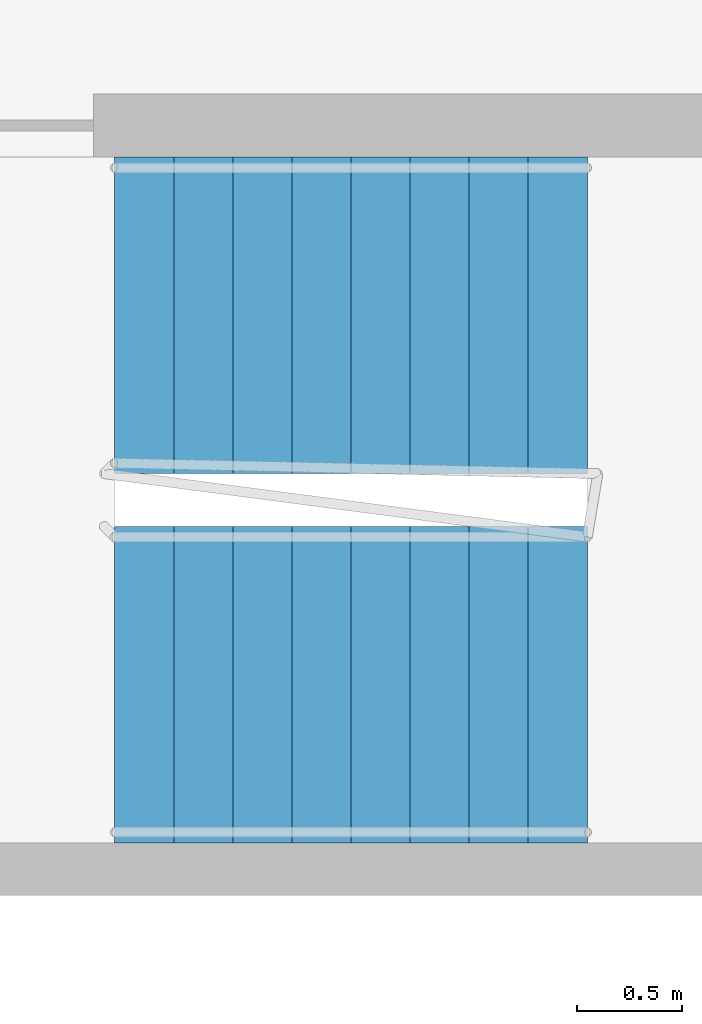
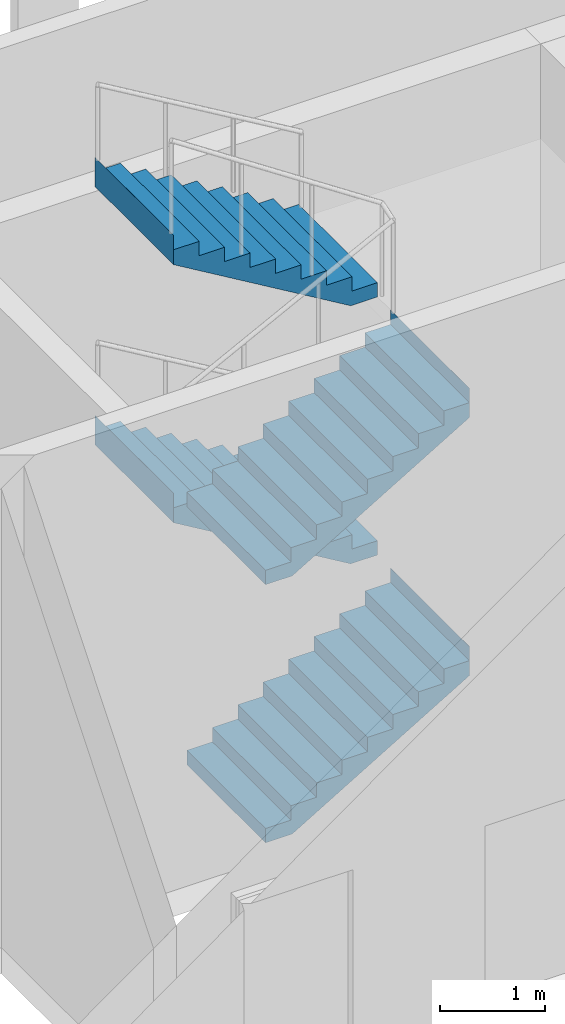
# One storey, part 23 of 26: 4 stair flights, 1 element without a shape of its own.
"""IFC4 building model written with IfcOpenShell, lengths in metres."""

from ifc_helpers import new_model, si_unit, direction, frame, origin, place, context, subcontext, project, spatial, faceted_brep, material, type_object, element, aggregate, save


model = new_model("IFC4")

# Units and contexts
model_context = context("Model", 3, precision=1e-05, world=origin(), true_north=direction((0.0, 1.0)))
body_context = subcontext(model_context, "Body", "Model", "MODEL_VIEW")
ifc_project = project(units=[si_unit("LENGTHUNIT", "METRE"), si_unit("AREAUNIT", "SQUARE_METRE"), si_unit("VOLUMEUNIT", "CUBIC_METRE"), si_unit("PLANEANGLEUNIT", "RADIAN"), si_unit("MASSUNIT", "GRAM", prefix="KILO")], contexts=[model_context])

# Site, building, storey
site_placement = place(None, origin())
site = spatial("IfcSite", under=ifc_project, at=site_placement, CompositionType="ELEMENT")
building_placement = place(site_placement, origin())
building = spatial("IfcBuilding", under=site, at=building_placement, Name="Kajstack Hotel Tower", CompositionType="ELEMENT")
storey_placement = place(building_placement, frame((0.0, 0.0, 47.0)))
storey = spatial("IfcBuildingStorey", under=building, at=storey_placement, Name="L07", CompositionType="ELEMENT", Elevation=47.0)

# Stair, stair flights
ifc_material = material(Name="Concrete C40/50", Category="concrete")
stair_type = type_object("IfcStairType", Name="Exit stair 1500", PredefinedType="HALF_TURN_STAIR", material=ifc_material)
stair_placement = place(storey_placement, origin())
stair = element("IfcStair", 1, at=stair_placement, inside=storey, type_object=stair_type, Name="L07 stair E3", PredefinedType="HALF_TURN_STAIR")
stair_flight_type = type_object("IfcStairFlightType", Name="Exit stair flight 1500", PredefinedType="STRAIGHT", material=ifc_material)
stair_flight_1_placement = place(storey_placement, frame((25.699951171875, 12.699951171875, 0.0), z_axis=(0.0, 0.0, 1.0), x_axis=(1.0, 0.0, 0.0)))
stair_flight_1 = element("IfcStairFlight", 2, at=stair_flight_1_placement, type_object=stair_flight_type, Name="E3 flight 1", NumberOfRisers=9, NumberOfTreads=8, PredefinedType="STRAIGHT", RiserHeight=0.166666667, TreadLength=0.28, context=body_context, shape_type="Brep", body=[
    faceted_brep([(0.29345703125, -0.75, 0.0), (2.240478515625, -0.75, 1.158935546875), (2.240478515625, -0.75, 1.5), (2.239990234375, -0.75, 1.5), (2.239990234375, -0.75, 1.333251953125), (1.9599609375, -0.75, 1.333251953125), (1.9599609375, -0.75, 1.166748046875), (1.679931640625, -0.75, 1.166748046875), (1.679931640625, -0.75, 1.0), (1.39990234375, -0.75, 1.0), (1.39990234375, -0.75, 0.833251953125), (1.1201171875, -0.75, 0.833251953125), (1.1201171875, -0.75, 0.666748046875), (0.840087890625, -0.75, 0.666748046875), (0.840087890625, -0.75, 0.5), (0.56005859375, -0.75, 0.5), (0.56005859375, -0.75, 0.333251953125), (0.280029296875, -0.75, 0.333251953125), (0.280029296875, -0.75, 0.166748046875), (-0.00048828125, -0.75, 0.166748046875), (-0.00048828125, -0.75, 0.0), (-0.00048828125, 0.75, 0.0), (-0.00048828125, 0.75, 0.166748046875), (0.280029296875, 0.75, 0.166748046875), (0.280029296875, 0.75, 0.333251953125), (0.56005859375, 0.75, 0.333251953125), (0.56005859375, 0.75, 0.5), (0.840087890625, 0.75, 0.5), (0.840087890625, 0.75, 0.666748046875), (1.1201171875, 0.75, 0.666748046875), (1.1201171875, 0.75, 0.833251953125), (1.39990234375, 0.75, 0.833251953125), (1.39990234375, 0.75, 1.0), (1.679931640625, 0.75, 1.0), (1.679931640625, 0.75, 1.166748046875), (1.9599609375, 0.75, 1.166748046875), (1.9599609375, 0.75, 1.333251953125), (2.239990234375, 0.75, 1.333251953125), (2.239990234375, 0.75, 1.5), (2.240478515625, 0.75, 1.5), (2.240478515625, 0.75, 1.158935546875), (0.29345703125, 0.75, 0.0), (-0.00048828125, -0.375, 0.166748046875), (-0.00048828125, 0.0, 0.166748046875), (-0.00048828125, 0.375, 0.166748046875), (-0.00048828125, 0.375, 0.0), (-0.00048828125, 0.0, 0.0), (-0.00048828125, -0.375, 0.0), (0.280029296875, -0.375, 0.166748046875), (0.280029296875, 0.0, 0.166748046875), (0.280029296875, 0.375, 0.166748046875), (0.280029296875, -0.375, 0.333251953125), (0.280029296875, 0.0, 0.333251953125), (0.280029296875, 0.375, 0.333251953125), (0.56005859375, -0.375, 0.333251953125), (0.56005859375, 0.0, 0.333251953125), (0.56005859375, 0.375, 0.333251953125), (0.56005859375, -0.375, 0.5), (0.56005859375, 0.0, 0.5), (0.56005859375, 0.375, 0.5), (0.840087890625, -0.375, 0.5), (0.840087890625, 0.0, 0.5), (0.840087890625, 0.375, 0.5), (0.840087890625, -0.375, 0.666748046875), (0.840087890625, 0.0, 0.666748046875), (0.840087890625, 0.375, 0.666748046875), (1.1201171875, -0.375, 0.666748046875), (1.1201171875, 0.0, 0.666748046875), (1.1201171875, 0.375, 0.666748046875), (1.1201171875, -0.375, 0.833251953125), (1.1201171875, 0.0, 0.833251953125), (1.1201171875, 0.375, 0.833251953125), (1.39990234375, -0.375, 0.833251953125), (1.39990234375, 0.0, 0.833251953125), (1.39990234375, 0.375, 0.833251953125), (1.39990234375, -0.375, 1.0), (1.39990234375, 0.0, 1.0), (1.39990234375, 0.375, 1.0), (1.679931640625, -0.375, 1.0), (1.679931640625, 0.0, 1.0), (1.679931640625, 0.375, 1.0), (1.679931640625, -0.375, 1.166748046875), (1.679931640625, 0.0, 1.166748046875), (1.679931640625, 0.375, 1.166748046875), (1.9599609375, -0.375, 1.166748046875), (1.9599609375, 0.0, 1.166748046875), (1.9599609375, 0.375, 1.166748046875), (1.9599609375, -0.375, 1.333251953125), (1.9599609375, 0.0, 1.333251953125), (1.9599609375, 0.375, 1.333251953125), (2.239990234375, -0.375, 1.333251953125), (2.239990234375, 0.0, 1.333251953125), (2.239990234375, 0.375, 1.333251953125), (2.239990234375, -0.375, 1.5), (2.239990234375, 0.0, 1.5), (2.239990234375, 0.375, 1.5), (2.240478515625, -0.375, 1.5), (2.240478515625, 0.0, 1.5), (2.240478515625, 0.375, 1.5), (2.240478515625, -0.375, 1.158935546875), (2.240478515625, 0.0, 1.158935546875), (2.240478515625, 0.375, 1.158935546875), (0.29345703125, -0.375, 0.0), (0.29345703125, 0.0, 0.0), (0.29345703125, 0.375, 0.0)], [[[0, 1, 2, 3, 4, 5, 6, 7, 8, 9, 10, 11, 12, 13, 14, 15, 16, 17, 18, 19, 20]], [[21, 22, 23, 24, 25, 26, 27, 28, 29, 30, 31, 32, 33, 34, 35, 36, 37, 38, 39, 40, 41]], [[19, 42, 43, 44, 22, 21, 45, 46, 47, 20]], [[18, 48, 49, 50, 23, 22, 44, 43, 42, 19]], [[17, 51, 52, 53, 24, 23, 50, 49, 48, 18]], [[16, 54, 55, 56, 25, 24, 53, 52, 51, 17]], [[15, 57, 58, 59, 26, 25, 56, 55, 54, 16]], [[14, 60, 61, 62, 27, 26, 59, 58, 57, 15]], [[13, 63, 64, 65, 28, 27, 62, 61, 60, 14]], [[12, 66, 67, 68, 29, 28, 65, 64, 63, 13]], [[11, 69, 70, 71, 30, 29, 68, 67, 66, 12]], [[10, 72, 73, 74, 31, 30, 71, 70, 69, 11]], [[9, 75, 76, 77, 32, 31, 74, 73, 72, 10]], [[8, 78, 79, 80, 33, 32, 77, 76, 75, 9]], [[7, 81, 82, 83, 34, 33, 80, 79, 78, 8]], [[6, 84, 85, 86, 35, 34, 83, 82, 81, 7]], [[5, 87, 88, 89, 36, 35, 86, 85, 84, 6]], [[4, 90, 91, 92, 37, 36, 89, 88, 87, 5]], [[3, 93, 94, 95, 38, 37, 92, 91, 90, 4]], [[2, 96, 97, 98, 39, 38, 95, 94, 93, 3]], [[1, 99, 100, 101, 40, 39, 98, 97, 96, 2]], [[0, 102, 103, 104, 41, 40, 101, 100, 99, 1]], [[20, 47, 46, 45, 21, 41, 104, 103, 102, 0]]]),
])
stair_flight_2_placement = place(storey_placement, frame((27.93994140625, 14.449951171875, 1.5), z_axis=(0.0, 0.0, 1.0), x_axis=(-1.0, 0.0, 0.0)))
stair_flight_2 = element("IfcStairFlight", 3, at=stair_flight_2_placement, type_object=stair_flight_type, Name="E3 flight 2", NumberOfRisers=9, NumberOfTreads=8, PredefinedType="STRAIGHT", RiserHeight=0.166666667, TreadLength=0.28, context=body_context, shape_type="Brep", body=[
    faceted_brep([(0.29345703125, -0.75, 0.0), (2.240478515625, -0.75, 1.158935546875), (2.240478515625, -0.75, 1.5), (2.239990234375, -0.75, 1.5), (2.239990234375, -0.75, 1.333251953125), (1.9599609375, -0.75, 1.333251953125), (1.9599609375, -0.75, 1.166748046875), (1.679931640625, -0.75, 1.166748046875), (1.679931640625, -0.75, 1.0), (1.39990234375, -0.75, 1.0), (1.39990234375, -0.75, 0.833251953125), (1.1201171875, -0.75, 0.833251953125), (1.1201171875, -0.75, 0.666748046875), (0.840087890625, -0.75, 0.666748046875), (0.840087890625, -0.75, 0.5), (0.56005859375, -0.75, 0.5), (0.56005859375, -0.75, 0.333251953125), (0.280029296875, -0.75, 0.333251953125), (0.280029296875, -0.75, 0.166748046875), (-0.00048828125, -0.75, 0.166748046875), (-0.00048828125, -0.75, 0.0), (-0.00048828125, 0.75, 0.0), (-0.00048828125, 0.75, 0.166748046875), (0.280029296875, 0.75, 0.166748046875), (0.280029296875, 0.75, 0.333251953125), (0.56005859375, 0.75, 0.333251953125), (0.56005859375, 0.75, 0.5), (0.840087890625, 0.75, 0.5), (0.840087890625, 0.75, 0.666748046875), (1.1201171875, 0.75, 0.666748046875), (1.1201171875, 0.75, 0.833251953125), (1.39990234375, 0.75, 0.833251953125), (1.39990234375, 0.75, 1.0), (1.679931640625, 0.75, 1.0), (1.679931640625, 0.75, 1.166748046875), (1.9599609375, 0.75, 1.166748046875), (1.9599609375, 0.75, 1.333251953125), (2.239990234375, 0.75, 1.333251953125), (2.239990234375, 0.75, 1.5), (2.240478515625, 0.75, 1.5), (2.240478515625, 0.75, 1.158935546875), (0.29345703125, 0.75, 0.0), (-0.00048828125, -0.375, 0.166748046875), (-0.00048828125, 0.0, 0.166748046875), (-0.00048828125, 0.375, 0.166748046875), (-0.00048828125, 0.375, 0.0), (-0.00048828125, 0.0, 0.0), (-0.00048828125, -0.375, 0.0), (0.280029296875, -0.375, 0.166748046875), (0.280029296875, 0.0, 0.166748046875), (0.280029296875, 0.375, 0.166748046875), (0.280029296875, -0.375, 0.333251953125), (0.280029296875, 0.0, 0.333251953125), (0.280029296875, 0.375, 0.333251953125), (0.56005859375, -0.375, 0.333251953125), (0.56005859375, 0.0, 0.333251953125), (0.56005859375, 0.375, 0.333251953125), (0.56005859375, -0.375, 0.5), (0.56005859375, 0.0, 0.5), (0.56005859375, 0.375, 0.5), (0.840087890625, -0.375, 0.5), (0.840087890625, 0.0, 0.5), (0.840087890625, 0.375, 0.5), (0.840087890625, -0.375, 0.666748046875), (0.840087890625, 0.0, 0.666748046875), (0.840087890625, 0.375, 0.666748046875), (1.1201171875, -0.375, 0.666748046875), (1.1201171875, 0.0, 0.666748046875), (1.1201171875, 0.375, 0.666748046875), (1.1201171875, -0.375, 0.833251953125), (1.1201171875, 0.0, 0.833251953125), (1.1201171875, 0.375, 0.833251953125), (1.39990234375, -0.375, 0.833251953125), (1.39990234375, 0.0, 0.833251953125), (1.39990234375, 0.375, 0.833251953125), (1.39990234375, -0.375, 1.0), (1.39990234375, 0.0, 1.0), (1.39990234375, 0.375, 1.0), (1.679931640625, -0.375, 1.0), (1.679931640625, 0.0, 1.0), (1.679931640625, 0.375, 1.0), (1.679931640625, -0.375, 1.166748046875), (1.679931640625, 0.0, 1.166748046875), (1.679931640625, 0.375, 1.166748046875), (1.9599609375, -0.375, 1.166748046875), (1.9599609375, 0.0, 1.166748046875), (1.9599609375, 0.375, 1.166748046875), (1.9599609375, -0.375, 1.333251953125), (1.9599609375, 0.0, 1.333251953125), (1.9599609375, 0.375, 1.333251953125), (2.239990234375, -0.375, 1.333251953125), (2.239990234375, 0.0, 1.333251953125), (2.239990234375, 0.375, 1.333251953125), (2.239990234375, -0.375, 1.5), (2.239990234375, 0.0, 1.5), (2.239990234375, 0.375, 1.5), (2.240478515625, -0.375, 1.5), (2.240478515625, 0.0, 1.5), (2.240478515625, 0.375, 1.5), (2.240478515625, -0.375, 1.158935546875), (2.240478515625, 0.0, 1.158935546875), (2.240478515625, 0.375, 1.158935546875), (0.29345703125, -0.375, 0.0), (0.29345703125, 0.0, 0.0), (0.29345703125, 0.375, 0.0)], [[[0, 1, 2, 3, 4, 5, 6, 7, 8, 9, 10, 11, 12, 13, 14, 15, 16, 17, 18, 19, 20]], [[21, 22, 23, 24, 25, 26, 27, 28, 29, 30, 31, 32, 33, 34, 35, 36, 37, 38, 39, 40, 41]], [[19, 42, 43, 44, 22, 21, 45, 46, 47, 20]], [[18, 48, 49, 50, 23, 22, 44, 43, 42, 19]], [[17, 51, 52, 53, 24, 23, 50, 49, 48, 18]], [[16, 54, 55, 56, 25, 24, 53, 52, 51, 17]], [[15, 57, 58, 59, 26, 25, 56, 55, 54, 16]], [[14, 60, 61, 62, 27, 26, 59, 58, 57, 15]], [[13, 63, 64, 65, 28, 27, 62, 61, 60, 14]], [[12, 66, 67, 68, 29, 28, 65, 64, 63, 13]], [[11, 69, 70, 71, 30, 29, 68, 67, 66, 12]], [[10, 72, 73, 74, 31, 30, 71, 70, 69, 11]], [[9, 75, 76, 77, 32, 31, 74, 73, 72, 10]], [[8, 78, 79, 80, 33, 32, 77, 76, 75, 9]], [[7, 81, 82, 83, 34, 33, 80, 79, 78, 8]], [[6, 84, 85, 86, 35, 34, 83, 82, 81, 7]], [[5, 87, 88, 89, 36, 35, 86, 85, 84, 6]], [[4, 90, 91, 92, 37, 36, 89, 88, 87, 5]], [[3, 93, 94, 95, 38, 37, 92, 91, 90, 4]], [[2, 96, 97, 98, 39, 38, 95, 94, 93, 3]], [[1, 99, 100, 101, 40, 39, 98, 97, 96, 2]], [[0, 102, 103, 104, 41, 40, 101, 100, 99, 1]], [[20, 47, 46, 45, 21, 41, 104, 103, 102, 0]]]),
])
stair_flight_3_placement = place(storey_placement, frame((25.699951171875, 12.699951171875, 3.0), z_axis=(0.0, 0.0, 1.0), x_axis=(1.0, 0.0, 0.0)))
stair_flight_3 = element("IfcStairFlight", 4, at=stair_flight_3_placement, type_object=stair_flight_type, Name="E3 flight 3", NumberOfRisers=9, NumberOfTreads=8, PredefinedType="STRAIGHT", RiserHeight=0.166666667, TreadLength=0.28, context=body_context, shape_type="Brep", body=[
    faceted_brep([(0.29345703125, -0.75, 0.0), (2.240478515625, -0.75, 1.158935546875), (2.240478515625, -0.75, 1.5), (2.239990234375, -0.75, 1.5), (2.239990234375, -0.75, 1.333251953125), (1.9599609375, -0.75, 1.333251953125), (1.9599609375, -0.75, 1.166748046875), (1.679931640625, -0.75, 1.166748046875), (1.679931640625, -0.75, 1.0), (1.39990234375, -0.75, 1.0), (1.39990234375, -0.75, 0.833251953125), (1.1201171875, -0.75, 0.833251953125), (1.1201171875, -0.75, 0.666748046875), (0.840087890625, -0.75, 0.666748046875), (0.840087890625, -0.75, 0.5), (0.56005859375, -0.75, 0.5), (0.56005859375, -0.75, 0.333251953125), (0.280029296875, -0.75, 0.333251953125), (0.280029296875, -0.75, 0.166748046875), (-0.00048828125, -0.75, 0.166748046875), (-0.00048828125, -0.75, 0.0), (-0.00048828125, 0.75, 0.0), (-0.00048828125, 0.75, 0.166748046875), (0.280029296875, 0.75, 0.166748046875), (0.280029296875, 0.75, 0.333251953125), (0.56005859375, 0.75, 0.333251953125), (0.56005859375, 0.75, 0.5), (0.840087890625, 0.75, 0.5), (0.840087890625, 0.75, 0.666748046875), (1.1201171875, 0.75, 0.666748046875), (1.1201171875, 0.75, 0.833251953125), (1.39990234375, 0.75, 0.833251953125), (1.39990234375, 0.75, 1.0), (1.679931640625, 0.75, 1.0), (1.679931640625, 0.75, 1.166748046875), (1.9599609375, 0.75, 1.166748046875), (1.9599609375, 0.75, 1.333251953125), (2.239990234375, 0.75, 1.333251953125), (2.239990234375, 0.75, 1.5), (2.240478515625, 0.75, 1.5), (2.240478515625, 0.75, 1.158935546875), (0.29345703125, 0.75, 0.0), (-0.00048828125, -0.375, 0.166748046875), (-0.00048828125, 0.0, 0.166748046875), (-0.00048828125, 0.375, 0.166748046875), (-0.00048828125, 0.375, 0.0), (-0.00048828125, 0.0, 0.0), (-0.00048828125, -0.375, 0.0), (0.280029296875, -0.375, 0.166748046875), (0.280029296875, 0.0, 0.166748046875), (0.280029296875, 0.375, 0.166748046875), (0.280029296875, -0.375, 0.333251953125), (0.280029296875, 0.0, 0.333251953125), (0.280029296875, 0.375, 0.333251953125), (0.56005859375, -0.375, 0.333251953125), (0.56005859375, 0.0, 0.333251953125), (0.56005859375, 0.375, 0.333251953125), (0.56005859375, -0.375, 0.5), (0.56005859375, 0.0, 0.5), (0.56005859375, 0.375, 0.5), (0.840087890625, -0.375, 0.5), (0.840087890625, 0.0, 0.5), (0.840087890625, 0.375, 0.5), (0.840087890625, -0.375, 0.666748046875), (0.840087890625, 0.0, 0.666748046875), (0.840087890625, 0.375, 0.666748046875), (1.1201171875, -0.375, 0.666748046875), (1.1201171875, 0.0, 0.666748046875), (1.1201171875, 0.375, 0.666748046875), (1.1201171875, -0.375, 0.833251953125), (1.1201171875, 0.0, 0.833251953125), (1.1201171875, 0.375, 0.833251953125), (1.39990234375, -0.375, 0.833251953125), (1.39990234375, 0.0, 0.833251953125), (1.39990234375, 0.375, 0.833251953125), (1.39990234375, -0.375, 1.0), (1.39990234375, 0.0, 1.0), (1.39990234375, 0.375, 1.0), (1.679931640625, -0.375, 1.0), (1.679931640625, 0.0, 1.0), (1.679931640625, 0.375, 1.0), (1.679931640625, -0.375, 1.166748046875), (1.679931640625, 0.0, 1.166748046875), (1.679931640625, 0.375, 1.166748046875), (1.9599609375, -0.375, 1.166748046875), (1.9599609375, 0.0, 1.166748046875), (1.9599609375, 0.375, 1.166748046875), (1.9599609375, -0.375, 1.333251953125), (1.9599609375, 0.0, 1.333251953125), (1.9599609375, 0.375, 1.333251953125), (2.239990234375, -0.375, 1.333251953125), (2.239990234375, 0.0, 1.333251953125), (2.239990234375, 0.375, 1.333251953125), (2.239990234375, -0.375, 1.5), (2.239990234375, 0.0, 1.5), (2.239990234375, 0.375, 1.5), (2.240478515625, -0.375, 1.5), (2.240478515625, 0.0, 1.5), (2.240478515625, 0.375, 1.5), (2.240478515625, -0.375, 1.158935546875), (2.240478515625, 0.0, 1.158935546875), (2.240478515625, 0.375, 1.158935546875), (0.29345703125, -0.375, 0.0), (0.29345703125, 0.0, 0.0), (0.29345703125, 0.375, 0.0)], [[[0, 1, 2, 3, 4, 5, 6, 7, 8, 9, 10, 11, 12, 13, 14, 15, 16, 17, 18, 19, 20]], [[21, 22, 23, 24, 25, 26, 27, 28, 29, 30, 31, 32, 33, 34, 35, 36, 37, 38, 39, 40, 41]], [[19, 42, 43, 44, 22, 21, 45, 46, 47, 20]], [[18, 48, 49, 50, 23, 22, 44, 43, 42, 19]], [[17, 51, 52, 53, 24, 23, 50, 49, 48, 18]], [[16, 54, 55, 56, 25, 24, 53, 52, 51, 17]], [[15, 57, 58, 59, 26, 25, 56, 55, 54, 16]], [[14, 60, 61, 62, 27, 26, 59, 58, 57, 15]], [[13, 63, 64, 65, 28, 27, 62, 61, 60, 14]], [[12, 66, 67, 68, 29, 28, 65, 64, 63, 13]], [[11, 69, 70, 71, 30, 29, 68, 67, 66, 12]], [[10, 72, 73, 74, 31, 30, 71, 70, 69, 11]], [[9, 75, 76, 77, 32, 31, 74, 73, 72, 10]], [[8, 78, 79, 80, 33, 32, 77, 76, 75, 9]], [[7, 81, 82, 83, 34, 33, 80, 79, 78, 8]], [[6, 84, 85, 86, 35, 34, 83, 82, 81, 7]], [[5, 87, 88, 89, 36, 35, 86, 85, 84, 6]], [[4, 90, 91, 92, 37, 36, 89, 88, 87, 5]], [[3, 93, 94, 95, 38, 37, 92, 91, 90, 4]], [[2, 96, 97, 98, 39, 38, 95, 94, 93, 3]], [[1, 99, 100, 101, 40, 39, 98, 97, 96, 2]], [[0, 102, 103, 104, 41, 40, 101, 100, 99, 1]], [[20, 47, 46, 45, 21, 41, 104, 103, 102, 0]]]),
])
stair_flight_4_placement = place(storey_placement, frame((27.93994140625, 14.449951171875, 4.5), z_axis=(0.0, 0.0, 1.0), x_axis=(-1.0, 0.0, 0.0)))
stair_flight_4 = element("IfcStairFlight", 5, at=stair_flight_4_placement, type_object=stair_flight_type, Name="E3 flight 4", NumberOfRisers=9, NumberOfTreads=8, PredefinedType="STRAIGHT", RiserHeight=0.166666667, TreadLength=0.28, context=body_context, shape_type="Brep", body=[
    faceted_brep([(0.29345703125, -0.75, 0.0), (2.240478515625, -0.75, 1.158935546875), (2.240478515625, -0.75, 1.5), (2.239990234375, -0.75, 1.5), (2.239990234375, -0.75, 1.333251953125), (1.9599609375, -0.75, 1.333251953125), (1.9599609375, -0.75, 1.166748046875), (1.679931640625, -0.75, 1.166748046875), (1.679931640625, -0.75, 1.0), (1.39990234375, -0.75, 1.0), (1.39990234375, -0.75, 0.833251953125), (1.1201171875, -0.75, 0.833251953125), (1.1201171875, -0.75, 0.666748046875), (0.840087890625, -0.75, 0.666748046875), (0.840087890625, -0.75, 0.5), (0.56005859375, -0.75, 0.5), (0.56005859375, -0.75, 0.333251953125), (0.280029296875, -0.75, 0.333251953125), (0.280029296875, -0.75, 0.166748046875), (-0.00048828125, -0.75, 0.166748046875), (-0.00048828125, -0.75, 0.0), (-0.00048828125, 0.75, 0.0), (-0.00048828125, 0.75, 0.166748046875), (0.280029296875, 0.75, 0.166748046875), (0.280029296875, 0.75, 0.333251953125), (0.56005859375, 0.75, 0.333251953125), (0.56005859375, 0.75, 0.5), (0.840087890625, 0.75, 0.5), (0.840087890625, 0.75, 0.666748046875), (1.1201171875, 0.75, 0.666748046875), (1.1201171875, 0.75, 0.833251953125), (1.39990234375, 0.75, 0.833251953125), (1.39990234375, 0.75, 1.0), (1.679931640625, 0.75, 1.0), (1.679931640625, 0.75, 1.166748046875), (1.9599609375, 0.75, 1.166748046875), (1.9599609375, 0.75, 1.333251953125), (2.239990234375, 0.75, 1.333251953125), (2.239990234375, 0.75, 1.5), (2.240478515625, 0.75, 1.5), (2.240478515625, 0.75, 1.158935546875), (0.29345703125, 0.75, 0.0), (-0.00048828125, -0.375, 0.166748046875), (-0.00048828125, 0.0, 0.166748046875), (-0.00048828125, 0.375, 0.166748046875), (-0.00048828125, 0.375, 0.0), (-0.00048828125, 0.0, 0.0), (-0.00048828125, -0.375, 0.0), (0.280029296875, -0.375, 0.166748046875), (0.280029296875, 0.0, 0.166748046875), (0.280029296875, 0.375, 0.166748046875), (0.280029296875, -0.375, 0.333251953125), (0.280029296875, 0.0, 0.333251953125), (0.280029296875, 0.375, 0.333251953125), (0.56005859375, -0.375, 0.333251953125), (0.56005859375, 0.0, 0.333251953125), (0.56005859375, 0.375, 0.333251953125), (0.56005859375, -0.375, 0.5), (0.56005859375, 0.0, 0.5), (0.56005859375, 0.375, 0.5), (0.840087890625, -0.375, 0.5), (0.840087890625, 0.0, 0.5), (0.840087890625, 0.375, 0.5), (0.840087890625, -0.375, 0.666748046875), (0.840087890625, 0.0, 0.666748046875), (0.840087890625, 0.375, 0.666748046875), (1.1201171875, -0.375, 0.666748046875), (1.1201171875, 0.0, 0.666748046875), (1.1201171875, 0.375, 0.666748046875), (1.1201171875, -0.375, 0.833251953125), (1.1201171875, 0.0, 0.833251953125), (1.1201171875, 0.375, 0.833251953125), (1.39990234375, -0.375, 0.833251953125), (1.39990234375, 0.0, 0.833251953125), (1.39990234375, 0.375, 0.833251953125), (1.39990234375, -0.375, 1.0), (1.39990234375, 0.0, 1.0), (1.39990234375, 0.375, 1.0), (1.679931640625, -0.375, 1.0), (1.679931640625, 0.0, 1.0), (1.679931640625, 0.375, 1.0), (1.679931640625, -0.375, 1.166748046875), (1.679931640625, 0.0, 1.166748046875), (1.679931640625, 0.375, 1.166748046875), (1.9599609375, -0.375, 1.166748046875), (1.9599609375, 0.0, 1.166748046875), (1.9599609375, 0.375, 1.166748046875), (1.9599609375, -0.375, 1.333251953125), (1.9599609375, 0.0, 1.333251953125), (1.9599609375, 0.375, 1.333251953125), (2.239990234375, -0.375, 1.333251953125), (2.239990234375, 0.0, 1.333251953125), (2.239990234375, 0.375, 1.333251953125), (2.239990234375, -0.375, 1.5), (2.239990234375, 0.0, 1.5), (2.239990234375, 0.375, 1.5), (2.240478515625, -0.375, 1.5), (2.240478515625, 0.0, 1.5), (2.240478515625, 0.375, 1.5), (2.240478515625, -0.375, 1.158935546875), (2.240478515625, 0.0, 1.158935546875), (2.240478515625, 0.375, 1.158935546875), (0.29345703125, -0.375, 0.0), (0.29345703125, 0.0, 0.0), (0.29345703125, 0.375, 0.0)], [[[0, 1, 2, 3, 4, 5, 6, 7, 8, 9, 10, 11, 12, 13, 14, 15, 16, 17, 18, 19, 20]], [[21, 22, 23, 24, 25, 26, 27, 28, 29, 30, 31, 32, 33, 34, 35, 36, 37, 38, 39, 40, 41]], [[19, 42, 43, 44, 22, 21, 45, 46, 47, 20]], [[18, 48, 49, 50, 23, 22, 44, 43, 42, 19]], [[17, 51, 52, 53, 24, 23, 50, 49, 48, 18]], [[16, 54, 55, 56, 25, 24, 53, 52, 51, 17]], [[15, 57, 58, 59, 26, 25, 56, 55, 54, 16]], [[14, 60, 61, 62, 27, 26, 59, 58, 57, 15]], [[13, 63, 64, 65, 28, 27, 62, 61, 60, 14]], [[12, 66, 67, 68, 29, 28, 65, 64, 63, 13]], [[11, 69, 70, 71, 30, 29, 68, 67, 66, 12]], [[10, 72, 73, 74, 31, 30, 71, 70, 69, 11]], [[9, 75, 76, 77, 32, 31, 74, 73, 72, 10]], [[8, 78, 79, 80, 33, 32, 77, 76, 75, 9]], [[7, 81, 82, 83, 34, 33, 80, 79, 78, 8]], [[6, 84, 85, 86, 35, 34, 83, 82, 81, 7]], [[5, 87, 88, 89, 36, 35, 86, 85, 84, 6]], [[4, 90, 91, 92, 37, 36, 89, 88, 87, 5]], [[3, 93, 94, 95, 38, 37, 92, 91, 90, 4]], [[2, 96, 97, 98, 39, 38, 95, 94, 93, 3]], [[1, 99, 100, 101, 40, 39, 98, 97, 96, 2]], [[0, 102, 103, 104, 41, 40, 101, 100, 99, 1]], [[20, 47, 46, 45, 21, 41, 104, 103, 102, 0]]]),
])
aggregate(stair, [stair_flight_1, stair_flight_2, stair_flight_3, stair_flight_4])

save(model, "model.ifc")
